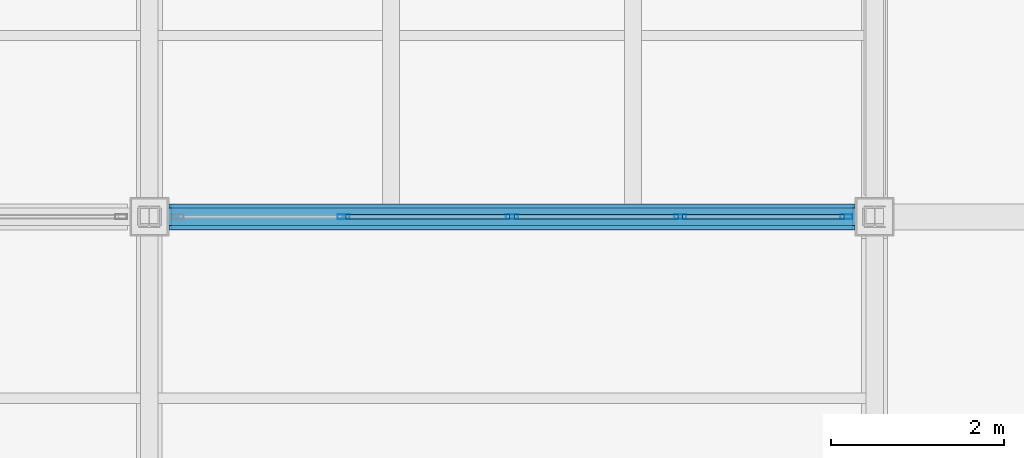
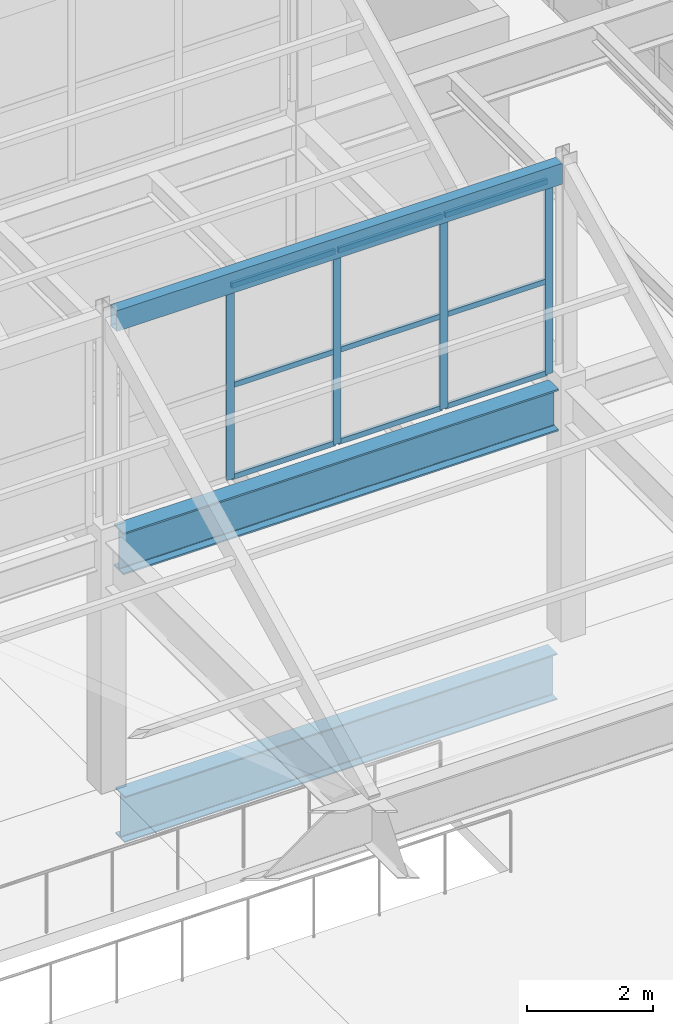
# One storey, part 44 of 91: 13 members, 3 beams, 1 element without a shape of its own.
"""IFC4 building model written with IfcOpenShell, lengths in metres."""

from ifc_helpers import new_model, si_unit, direction, frame, origin, origin_2d, place, context, subcontext, project, spatial, hollow_rectangle, i_section, extrude, material, layer, layer_set, material_profile, profile_set, type_object, element, aggregate, save


model = new_model("IFC4")

# Units and contexts
model_context = context("Model", 3, precision=1e-05, world=origin(), true_north=direction((0.0, 1.0)))
body_context = subcontext(model_context, "Body", "Model", "MODEL_VIEW")
ifc_project = project(units=[si_unit("LENGTHUNIT", "METRE"), si_unit("AREAUNIT", "SQUARE_METRE"), si_unit("VOLUMEUNIT", "CUBIC_METRE"), si_unit("PLANEANGLEUNIT", "RADIAN"), si_unit("MASSUNIT", "GRAM", prefix="KILO"), si_unit("THERMODYNAMICTEMPERATUREUNIT", "KELVIN")], contexts=[model_context])

# Site, building, storey
site_placement = place(None, origin())
site = spatial("IfcSite", under=ifc_project, at=site_placement, CompositionType="ELEMENT")
building_placement = place(site_placement, origin())
building = spatial("IfcBuilding", under=site, at=building_placement, Name="Lustrewick Department Store", CompositionType="ELEMENT")
storey_placement = place(building_placement, frame((0.0, 0.0, 21.60009765625)))
storey = spatial("IfcBuildingStorey", under=building, at=storey_placement, Name="L05", CompositionType="ELEMENT", Elevation=21.60009765625)

# Curtain wall, members
ifc_material_1 = material(Name="Thermally broken aluminium 6063-T5", Category="aluminium")
ifc_layer = layer(ifc_material_1, 0.139892578125, Name="Thermally broken aluminium 6063-T5")
ifc_layer_set = layer_set([ifc_layer], Name="Thermally broken aluminium 6063-T5")
curtain_wall_type = type_object("IfcCurtainWallType", Name="CW15", PredefinedType="NOTDEFINED", material=ifc_layer_set)
curtain_wall_placement = place(storey_placement, origin())
curtain_wall = element("IfcCurtainWall", 1, at=curtain_wall_placement, inside=storey, type_object=curtain_wall_type, Name="L05 North-Light Clerestory CW15", PredefinedType="NOTDEFINED")
ifc_material_profile_1 = material_profile(ifc_material_1, hollow_rectangle(XDim=0.054931640625, YDim=0.139892578125, WallThickness=0.00341796875, at=origin_2d()), Name="ALU-M 55x140x3.5")
ifc_profile_set_1 = profile_set([ifc_material_profile_1], Name="Thermally broken aluminium 6063-T5")
member_type_1 = type_object("IfcMemberType", Name="CW15-M1", PredefinedType="MULLION", material=ifc_profile_set_1)
member_1_placement = place(storey_placement, frame((136.64990234375, 33.60009765625, 5.099853515625), z_axis=(0.0, 0.0, 1.0), x_axis=(0.0, 1.0, 0.0)))
member_1 = element("IfcMember", 2, at=member_1_placement, type_object=member_type_1, Name="CW15 mullion 2", PredefinedType="MULLION", context=body_context, shape_type="SweptSolid", body=[
    extrude(hollow_rectangle(XDim=0.054931640625, YDim=0.139892578125, WallThickness=0.00341796875, at=origin_2d()), origin(), (0.0, 0.0, 1.0), 3.75),
])
member_2_placement = place(storey_placement, frame((138.60009765625, 33.60009765625, 5.099853515625), z_axis=(0.0, 0.0, 1.0), x_axis=(0.0, 1.0, 0.0)))
member_2 = element("IfcMember", 3, at=member_2_placement, type_object=member_type_1, Name="CW15 mullion 3", PredefinedType="MULLION", context=body_context, shape_type="SweptSolid", body=[
    extrude(hollow_rectangle(XDim=0.054931640625, YDim=0.139892578125, WallThickness=0.00341796875, at=origin_2d()), origin(), (0.0, 0.0, 1.0), 3.75),
])
member_3_placement = place(storey_placement, frame((140.550048828125, 33.60009765625, 5.099853515625), z_axis=(0.0, 0.0, 1.0), x_axis=(0.0, 1.0, 0.0)))
member_3 = element("IfcMember", 4, at=member_3_placement, type_object=member_type_1, Name="CW15 mullion 4", PredefinedType="MULLION", context=body_context, shape_type="SweptSolid", body=[
    extrude(hollow_rectangle(XDim=0.054931640625, YDim=0.139892578125, WallThickness=0.00341796875, at=origin_2d()), origin(), (0.0, 0.0, 1.0), 3.75),
])
member_4_placement = place(storey_placement, frame((142.472412109375, 33.60009765625, 5.099853515625), z_axis=(0.0, 0.0, 1.0), x_axis=(0.0, 1.0, 0.0)))
member_4 = element("IfcMember", 5, at=member_4_placement, type_object=member_type_1, Name="CW15 mullion 5", PredefinedType="MULLION", context=body_context, shape_type="SweptSolid", body=[
    extrude(hollow_rectangle(XDim=0.054931640625, YDim=0.139892578125, WallThickness=0.00341796875, at=origin_2d()), origin(), (0.0, 0.0, 1.0), 3.75),
])
ifc_material_profile_2 = material_profile(ifc_material_1, hollow_rectangle(XDim=0.054931640625, YDim=0.10009765625, WallThickness=0.0029296875, at=origin_2d()), Name="ALU-T 55x100x3")
ifc_profile_set_2 = profile_set([ifc_material_profile_2], Name="Thermally broken aluminium 6063-T5")
member_type_2 = type_object("IfcMemberType", Name="CW15-T1", PredefinedType="USERDEFINED", material=ifc_profile_set_2)
member_5_placement = place(storey_placement, frame((136.677490234375, 33.60009765625, 5.12744140625), z_axis=(1.0, 0.0, 0.0), x_axis=(0.0, 1.0, 0.0)))
member_5 = element("IfcMember", 6, at=member_5_placement, type_object=member_type_2, Name="CW15 transom 2.1", ObjectType="TRANSOM", PredefinedType="USERDEFINED", context=body_context, shape_type="SweptSolid", body=[
    extrude(hollow_rectangle(XDim=0.054931640625, YDim=0.10009765625, WallThickness=0.0029296875, at=origin_2d()), origin(), (0.0, 0.0, 1.0), 1.89501953125),
])
member_6_placement = place(storey_placement, frame((136.677490234375, 33.60009765625, 6.89990234375), z_axis=(1.0, 0.0, 0.0), x_axis=(0.0, 1.0, 0.0)))
member_6 = element("IfcMember", 7, at=member_6_placement, type_object=member_type_2, Name="CW15 transom 2.2", ObjectType="TRANSOM", PredefinedType="USERDEFINED", context=body_context, shape_type="SweptSolid", body=[
    extrude(hollow_rectangle(XDim=0.054931640625, YDim=0.10009765625, WallThickness=0.0029296875, at=origin_2d()), origin(), (0.0, 0.0, 1.0), 1.89501953125),
])
member_7_placement = place(storey_placement, frame((136.677490234375, 33.60009765625, 8.822509765625), z_axis=(1.0, 0.0, 0.0), x_axis=(0.0, 1.0, 0.0)))
member_7 = element("IfcMember", 8, at=member_7_placement, type_object=member_type_2, Name="CW15 transom 2.3", ObjectType="TRANSOM", PredefinedType="USERDEFINED", context=body_context, shape_type="SweptSolid", body=[
    extrude(hollow_rectangle(XDim=0.054931640625, YDim=0.10009765625, WallThickness=0.0029296875, at=origin_2d()), origin(), (0.0, 0.0, 1.0), 1.89501953125),
])
member_8_placement = place(storey_placement, frame((138.62744140625, 33.60009765625, 5.12744140625), z_axis=(1.0, 0.0, 0.0), x_axis=(0.0, 1.0, 0.0)))
member_8 = element("IfcMember", 9, at=member_8_placement, type_object=member_type_2, Name="CW15 transom 3.1", ObjectType="TRANSOM", PredefinedType="USERDEFINED", context=body_context, shape_type="SweptSolid", body=[
    extrude(hollow_rectangle(XDim=0.054931640625, YDim=0.10009765625, WallThickness=0.0029296875, at=origin_2d()), origin(), (0.0, 0.0, 1.0), 1.89501953125),
])
member_9_placement = place(storey_placement, frame((138.62744140625, 33.60009765625, 6.89990234375), z_axis=(1.0, 0.0, 0.0), x_axis=(0.0, 1.0, 0.0)))
member_9 = element("IfcMember", 10, at=member_9_placement, type_object=member_type_2, Name="CW15 transom 3.2", ObjectType="TRANSOM", PredefinedType="USERDEFINED", context=body_context, shape_type="SweptSolid", body=[
    extrude(hollow_rectangle(XDim=0.054931640625, YDim=0.10009765625, WallThickness=0.0029296875, at=origin_2d()), origin(), (0.0, 0.0, 1.0), 1.89501953125),
])
member_10_placement = place(storey_placement, frame((138.62744140625, 33.60009765625, 8.822509765625), z_axis=(1.0, 0.0, 0.0), x_axis=(0.0, 1.0, 0.0)))
member_10 = element("IfcMember", 11, at=member_10_placement, type_object=member_type_2, Name="CW15 transom 3.3", ObjectType="TRANSOM", PredefinedType="USERDEFINED", context=body_context, shape_type="SweptSolid", body=[
    extrude(hollow_rectangle(XDim=0.054931640625, YDim=0.10009765625, WallThickness=0.0029296875, at=origin_2d()), origin(), (0.0, 0.0, 1.0), 1.89501953125),
])
member_11_placement = place(storey_placement, frame((140.577392578125, 33.60009765625, 5.12744140625), z_axis=(1.0, 0.0, 0.0), x_axis=(0.0, 1.0, 0.0)))
member_11 = element("IfcMember", 12, at=member_11_placement, type_object=member_type_2, Name="CW15 transom 4.1", ObjectType="TRANSOM", PredefinedType="USERDEFINED", context=body_context, shape_type="SweptSolid", body=[
    extrude(hollow_rectangle(XDim=0.054931640625, YDim=0.10009765625, WallThickness=0.0029296875, at=origin_2d()), origin(), (0.0, 0.0, 1.0), 1.86767578125),
])
member_12_placement = place(storey_placement, frame((140.577392578125, 33.60009765625, 6.89990234375), z_axis=(1.0, 0.0, 0.0), x_axis=(0.0, 1.0, 0.0)))
member_12 = element("IfcMember", 13, at=member_12_placement, type_object=member_type_2, Name="CW15 transom 4.2", ObjectType="TRANSOM", PredefinedType="USERDEFINED", context=body_context, shape_type="SweptSolid", body=[
    extrude(hollow_rectangle(XDim=0.054931640625, YDim=0.10009765625, WallThickness=0.0029296875, at=origin_2d()), origin(), (0.0, 0.0, 1.0), 1.86767578125),
])
member_13_placement = place(storey_placement, frame((140.577392578125, 33.60009765625, 8.822509765625), z_axis=(1.0, 0.0, 0.0), x_axis=(0.0, 1.0, 0.0)))
member_13 = element("IfcMember", 14, at=member_13_placement, type_object=member_type_2, Name="CW15 transom 4.3", ObjectType="TRANSOM", PredefinedType="USERDEFINED", context=body_context, shape_type="SweptSolid", body=[
    extrude(hollow_rectangle(XDim=0.054931640625, YDim=0.10009765625, WallThickness=0.0029296875, at=origin_2d()), origin(), (0.0, 0.0, 1.0), 1.86767578125),
])
aggregate(curtain_wall, [member_1, member_2, member_3, member_4, member_5, member_6, member_7, member_8, member_9, member_10, member_11, member_12, member_13])

# Beams
ifc_material_2 = material(Name="Structural steel Q355C", Category="steel")
ifc_material_profile_3 = material_profile(ifc_material_2, i_section(OverallWidth=0.299072265625, OverallDepth=0.889892578125, WebThickness=0.014892578125, FlangeThickness=0.02294921875, FilletRadius=0.02392578125, at=origin_2d()), Name="HN 890x299x15x23")
ifc_profile_set_3 = profile_set([ifc_material_profile_3], Name="Structural steel Q355C")
beam_type_1 = type_object("IfcBeamType", Name="G03", PredefinedType="BEAM", material=ifc_profile_set_3)
beam_1_placement = place(storey_placement, frame((134.64990234375, 33.60009765625, -0.7001953125), z_axis=(1.0, 0.0, 0.0), x_axis=(0.0, 1.0, 0.0)))
element("IfcBeam", 15, at=beam_1_placement, inside=storey, type_object=beam_type_1, Name="L05 V3 Girder G03", PredefinedType="BEAM", context=body_context, shape_type="SweptSolid", body=[
    extrude(i_section(OverallWidth=0.299072265625, OverallDepth=0.889892578125, WebThickness=0.014892578125, FlangeThickness=0.02294921875, FilletRadius=0.02392578125, at=origin_2d()), origin(), (0.0, 0.0, 1.0), 7.900146484375),
])
ifc_material_profile_4 = material_profile(ifc_material_2, i_section(OverallWidth=0.302001953125, OverallDepth=0.80810546875, WebThickness=0.01611328125, FlangeThickness=0.030029296875, FilletRadius=0.02197265625, at=origin_2d()), Name="HN 808x302x16x30")
ifc_profile_set_4 = profile_set([ifc_material_profile_4], Name="Structural steel Q355C")
beam_type_2 = type_object("IfcBeamType", Name="G04", PredefinedType="BEAM", material=ifc_profile_set_4)
beam_2_placement = place(storey_placement, frame((134.625, 33.60009765625, 4.44091796875), z_axis=(1.0, 0.0, 0.0), x_axis=(0.0, 1.0, 0.0)))
element("IfcBeam", 16, at=beam_2_placement, inside=storey, type_object=beam_type_2, Name="L05 V3 Girder G04", PredefinedType="BEAM", context=body_context, shape_type="SweptSolid", body=[
    extrude(i_section(OverallWidth=0.302001953125, OverallDepth=0.80810546875, WebThickness=0.01611328125, FlangeThickness=0.030029296875, FilletRadius=0.02197265625, at=origin_2d()), origin(), (0.0, 0.0, 1.0), 7.949951171875),
])
ifc_material_profile_5 = material_profile(ifc_material_2, hollow_rectangle(XDim=0.199951171875, YDim=0.39990234375, WallThickness=0.011962890625, at=origin_2d()), Name="RHS 400x200x12")
ifc_profile_set_5 = profile_set([ifc_material_profile_5], Name="Structural steel Q355C")
beam_type_3 = type_object("IfcBeamType", Name="G19", PredefinedType="BEAM", material=ifc_profile_set_5)
beam_3_placement = place(storey_placement, frame((134.530029296875, 33.60009765625, 8.93994140625), z_axis=(1.0, 0.0, 0.0), x_axis=(0.0, 1.0, 0.0)))
element("IfcBeam", 17, at=beam_3_placement, inside=storey, type_object=beam_type_3, Name="V3 Lantern Ridge Tie 1.2", PredefinedType="BEAM", context=body_context, shape_type="SweptSolid", body=[
    extrude(hollow_rectangle(XDim=0.199951171875, YDim=0.39990234375, WallThickness=0.011962890625, at=origin_2d()), origin(), (0.0, 0.0, 1.0), 8.139892578125),
])

save(model, "model.ifc")
